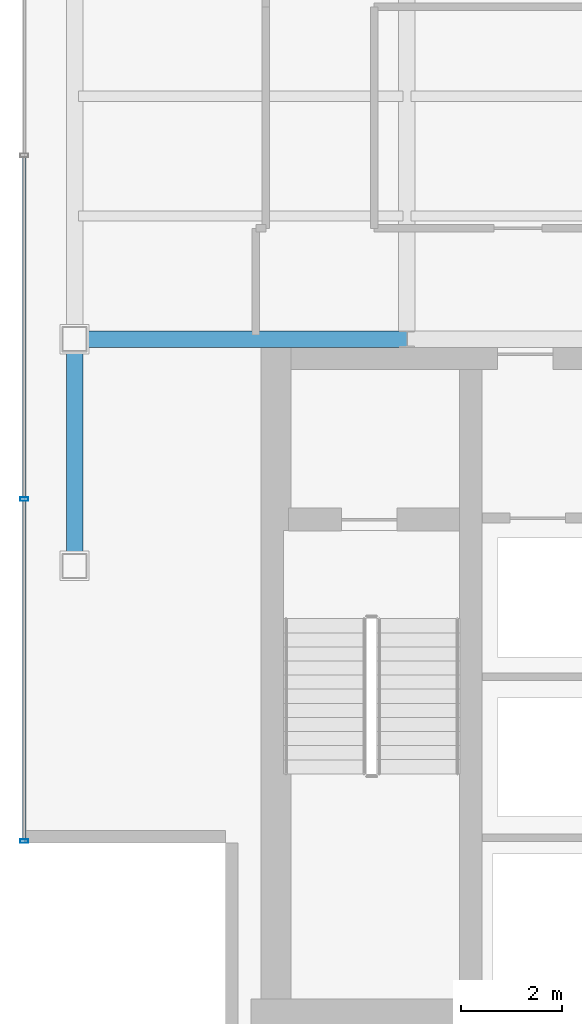
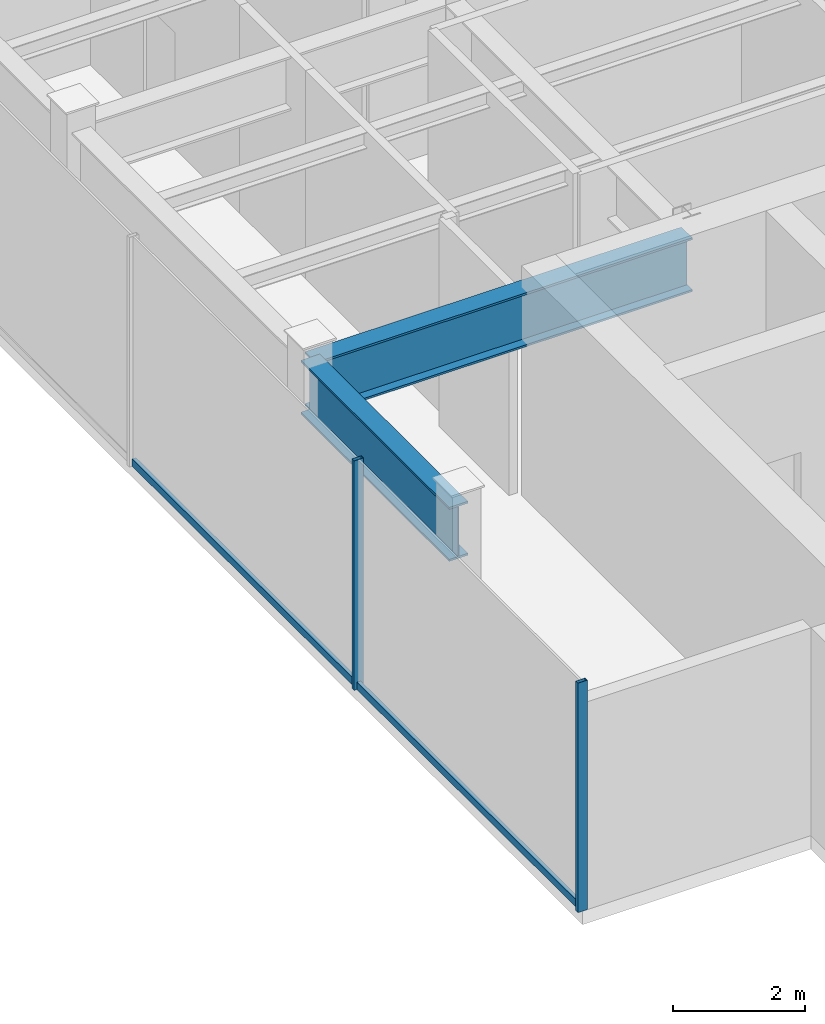
# One storey, part 3 of 24: 4 members, 2 beams, 1 element without a shape of its own.
"""IFC4 building model written with IfcOpenShell, lengths in metres."""

from ifc_helpers import new_model, si_unit, derived_unit, direction, frame, origin, origin_2d, place, context, subcontext, project, spatial, hollow_rectangle, i_section, extrude, source, transform, mapped, material, material_profile, profile_set, type_object, element, aggregate, save


model = new_model("IFC4")

# Units and contexts
model_context = context("Model", 3, precision=1e-05, world=origin(), true_north=direction((0.0, 1.0)))
body_context = subcontext(model_context, "Body", "Model", "MODEL_VIEW")
ifc_project = project(units=[si_unit("LENGTHUNIT", "METRE"), si_unit("AREAUNIT", "SQUARE_METRE"), si_unit("VOLUMEUNIT", "CUBIC_METRE"), si_unit("PLANEANGLEUNIT", "RADIAN"), si_unit("MASSUNIT", "GRAM", prefix="KILO"), derived_unit("THERMALTRANSMITTANCEUNIT", [(si_unit("POWERUNIT", "WATT"), 1), (si_unit("LENGTHUNIT", "METRE"), -2), (si_unit("THERMODYNAMICTEMPERATUREUNIT", "KELVIN"), -1)])], contexts=[model_context])

# Site, building, storey
site_placement = place(None, origin())
site = spatial("IfcSite", under=ifc_project, at=site_placement, CompositionType="ELEMENT")
building_placement = place(site_placement, origin())
building = spatial("IfcBuilding", under=site, at=building_placement, Name="Skarnbrae Concourse Arena and Tower", CompositionType="ELEMENT")
storey_placement = place(building_placement, frame((0.0, 0.0, 288.0)))
storey = spatial("IfcBuildingStorey", under=building, at=storey_placement, Name="L75", CompositionType="ELEMENT", Elevation=288.0)

# Beams
ifc_material_1 = material(Name="Steel CSA G40.21 350W", Category="steel")
ifc_material_profile_1 = material_profile(ifc_material_1, i_section(OverallWidth=0.327880859375, OverallDepth=1.0, WebThickness=0.02099609375, FlangeThickness=0.03759765625, at=origin_2d()), Name="W1000X371")
ifc_profile_set_1 = profile_set([ifc_material_profile_1], Name="Steel CSA G40.21 350W")
beam_type = type_object("IfcBeamType", Name="BM-XFER-W1000X371", PredefinedType="BEAM", material=ifc_profile_set_1)
shared_shape_1 = source(origin(), body_context, "Body", "SweptSolid", [
    extrude(i_section(OverallWidth=0.327880859375, OverallDepth=1.0, WebThickness=0.02099609375, FlangeThickness=0.03759765625, at=origin_2d()), origin(), (0.0, 0.0, 1.0), 6.60009765625),
])
beam_1_placement = place(storey_placement, frame((1.0, 14.0, 3.35009765625), z_axis=(1.0, 0.0, 0.0), x_axis=(0.0, 1.0, 0.0)))
element("IfcBeam", 1, at=beam_1_placement, inside=storey, type_object=beam_type, Name="L75 Primary E-W girder Y14.0-1", PredefinedType="BEAM", context=body_context, shape_type="MappedRepresentation", body=[
    mapped(shared_shape_1, transform((0.0, 0.0, 0.0))),
])
shared_shape_2 = source(origin(), body_context, "Body", "SweptSolid", [
    extrude(i_section(OverallWidth=0.327880859375, OverallDepth=1.0, WebThickness=0.02099609375, FlangeThickness=0.03759765625, at=origin_2d()), origin(), (0.0, 0.0, 1.0), 4.5),
])
beam_2_placement = place(storey_placement, frame((1.0, 9.5, 3.35009765625), z_axis=(0.0, 1.0, 0.0), x_axis=(-1.0, 0.0, 0.0)))
element("IfcBeam", 2, at=beam_2_placement, inside=storey, type_object=beam_type, Name="L75 Perimeter spandrel X1.0-1", PredefinedType="BEAM", context=body_context, shape_type="MappedRepresentation", body=[
    mapped(shared_shape_2, transform((0.0, 0.0, 0.0))),
])

# Curtain wall, members
ifc_material_2 = material(Name="Bronze anodised aluminium 6063-T6", Category="aluminium")
curtain_wall_type = type_object("IfcCurtainWallType", Name="CW-SYS-06-SKYLOBBY", PredefinedType="USERDEFINED", material=ifc_material_2)
curtain_wall_placement = place(storey_placement, origin())
curtain_wall = element("IfcCurtainWall", 3, at=curtain_wall_placement, inside=storey, type_object=curtain_wall_type, Name="L75 Unitised curtain wall CW-L75-E18", ObjectType="UNITISED CURTAIN WALL", PredefinedType="USERDEFINED")
ifc_material_profile_2 = material_profile(ifc_material_2, hollow_rectangle(XDim=0.070068359375, YDim=0.1650390625, WallThickness=0.00390625, at=origin_2d()), Name="ALU-MULL-70X165")
ifc_profile_set_2 = profile_set([ifc_material_profile_2], Name="Bronze anodised aluminium 6063-T6")
member_type_1 = type_object("IfcMemberType", Name="CWM-CW-06", PredefinedType="MULLION", material=ifc_profile_set_2)
shared_shape_3 = source(origin(), body_context, "Body", "SweptSolid", [
    extrude(hollow_rectangle(XDim=0.070068359375, YDim=0.1650390625, WallThickness=0.00390625, at=origin_2d()), origin(), (0.0, 0.0, 1.0), 4.25),
])
member_1_placement = place(storey_placement, frame((0.0, 10.824951171875, 0.0), z_axis=(0.0, 0.0, 1.0), x_axis=(0.0, -1.0, 0.0)))
member_1 = element("IfcMember", 4, at=member_1_placement, type_object=member_type_1, Name="CW-L75-E18 Mullion 4", PredefinedType="MULLION", context=body_context, shape_type="MappedRepresentation", body=[
    mapped(shared_shape_3, transform((0.0, 0.0, 0.0))),
])
member_2_placement = place(storey_placement, frame((0.0, 4.034912109375, 0.0), z_axis=(0.0, 0.0, 1.0), x_axis=(0.0, -1.0, 0.0)))
member_2 = element("IfcMember", 5, at=member_2_placement, type_object=member_type_1, Name="CW-L75-E18 Mullion 5", PredefinedType="MULLION", context=body_context, shape_type="MappedRepresentation", body=[
    mapped(shared_shape_3, transform((0.0, 0.0, 0.0))),
])
ifc_material_profile_3 = material_profile(ifc_material_2, hollow_rectangle(XDim=0.070068359375, YDim=0.135009765625, WallThickness=0.00390625, at=origin_2d()), Name="ALU-TRAN-70X135")
ifc_profile_set_3 = profile_set([ifc_material_profile_3], Name="Bronze anodised aluminium 6063-T6")
member_type_2 = type_object("IfcMemberType", Name="CWT-CW-06", PredefinedType="USERDEFINED", material=ifc_profile_set_3)
shared_shape_4 = source(origin(), body_context, "Body", "SweptSolid", [
    extrude(hollow_rectangle(XDim=0.070068359375, YDim=0.135009765625, WallThickness=0.00390625, at=origin_2d()), origin(), (0.0, 0.0, 1.0), 6.719970703125),
])
member_3_placement = place(storey_placement, frame((0.0, 10.7900390625, 0.0673828125), z_axis=(0.0, -1.0, 0.0), x_axis=(1.0, 0.0, 0.0)))
member_3 = element("IfcMember", 6, at=member_3_placement, type_object=member_type_2, Name="CW-L75-E18 Transom 4", ObjectType="TRANSOM", PredefinedType="USERDEFINED", context=body_context, shape_type="MappedRepresentation", body=[
    mapped(shared_shape_4, transform((0.0, 0.0, 0.0))),
])
shared_shape_5 = source(origin(), body_context, "Body", "SweptSolid", [
    extrude(hollow_rectangle(XDim=0.070068359375, YDim=0.135009765625, WallThickness=0.00390625, at=origin_2d()), origin(), (0.0, 0.0, 1.0), 6.7548828125),
])
member_4_placement = place(storey_placement, frame((0.0, 17.614990234375, 0.0673828125), z_axis=(0.0, -1.0, 0.0), x_axis=(1.0, 0.0, 0.0)))
member_4 = element("IfcMember", 7, at=member_4_placement, type_object=member_type_2, Name="CW-L75-E18 Transom 3", ObjectType="TRANSOM", PredefinedType="USERDEFINED", context=body_context, shape_type="MappedRepresentation", body=[
    mapped(shared_shape_5, transform((0.0, 0.0, 0.0))),
])
aggregate(curtain_wall, [member_1, member_2, member_4, member_3])

save(model, "model.ifc")
